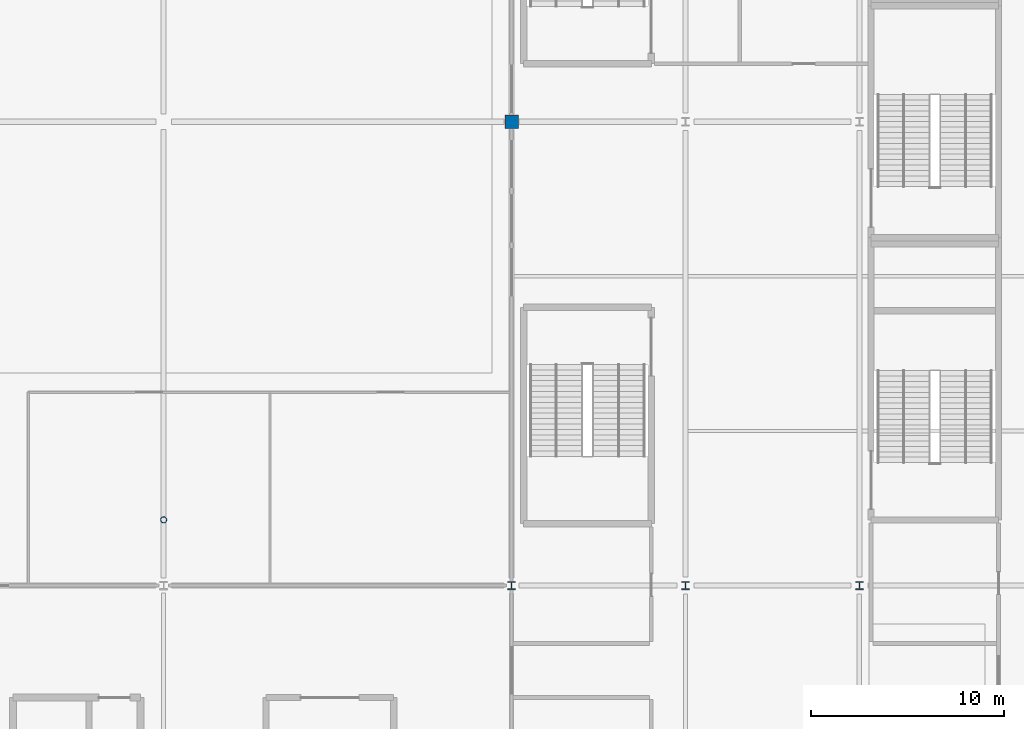
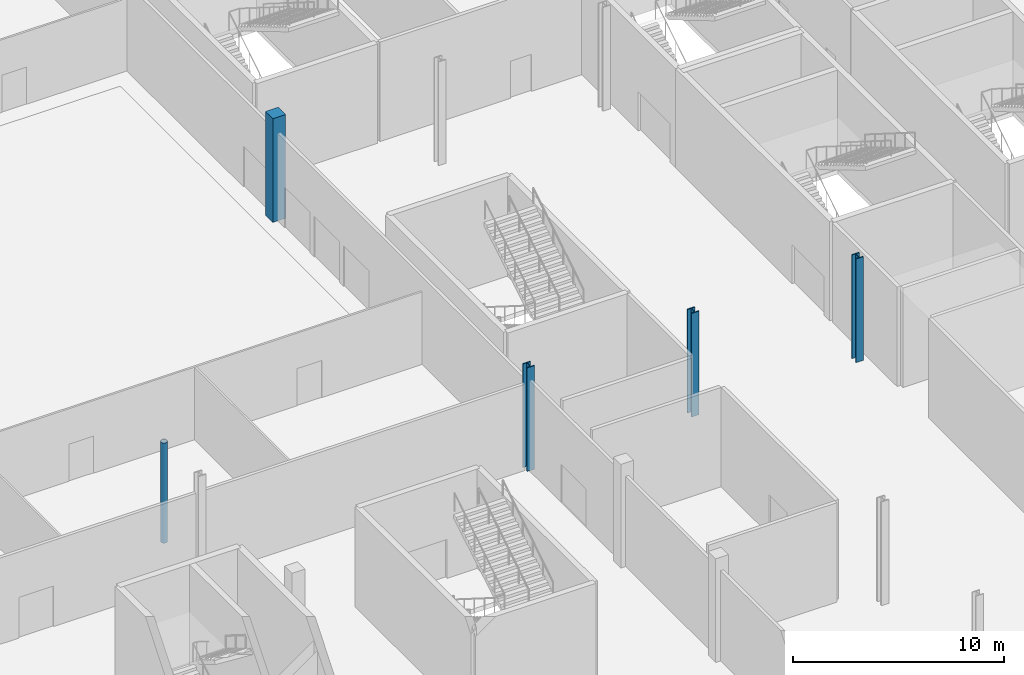
# One storey, part 11 of 84: 5 columns.
"""IFC4 building model written with IfcOpenShell, lengths in metres."""

import ifcopenshell
import ifcopenshell.guid

model = None  # the IFC model being written
_history = None  # IfcOwnerHistory: only IFC2X3 demands one
_inside = {}  # id of a spatial element -> (the spatial element, [elements in it])
_under = {}  # id of a project, library or spatial element -> (it, [spatial elements below it])
_declared = {}  # id of a project -> (the project, [libraries it declares])
_typed = {}  # id of a type object -> (the type object, [elements of that type])
_made_of = {}  # id of a material, layer set ... -> (it, [elements and type objects made of it])


def new_model(schema):
    """Start an empty IFC model of exactly this schema.

    Asked for "IFC4X3", IfcOpenShell would pick the latest addendum, in which some entities
    have other attributes; the version numbers below select the first issue.
    IFC2X3 requires an IfcOwnerHistory on every rooted entity: one is made here for all.
    """
    global model, _history
    if schema == "IFC4X3":
        model = ifcopenshell.file(schema_version=(4, 3, 0, 0))
    else:
        model = ifcopenshell.file(schema=schema)
    _inside.clear()
    _under.clear()
    _declared.clear()
    _typed.clear()
    _made_of.clear()
    _history = None
    if model.schema == "IFC2X3":
        org = make("IfcOrganization", Name="unknown")
        user = make(
            "IfcPersonAndOrganization",
            ThePerson=make("IfcPerson", FamilyName="unknown"),
            TheOrganization=org,
        )
        app = make(
            "IfcApplication",
            ApplicationDeveloper=org,
            Version="unknown",
            ApplicationFullName="unknown",
            ApplicationIdentifier="unknown",
        )
        _history = make(
            "IfcOwnerHistory",
            OwningUser=user,
            OwningApplication=app,
            ChangeAction="ADDED",
            CreationDate=0,
        )
    return model


def make(cls, **values):
    """One entity of the class cls with the attributes given. An attribute that is None is left unset."""
    return model.create_entity(
        cls, **{name: value for name, value in values.items() if value is not None}
    )


def rooted(cls, **values):
    """An entity with a GlobalId (a new one), such as an element, a storey or a relation."""
    return make(cls, GlobalId=ifcopenshell.guid.new(), OwnerHistory=_history, **values)


def si_unit(unit_type, name, prefix=None):
    """IfcSIUnit, for example si_unit("LENGTHUNIT", "METRE", prefix="MILLI")."""
    return make("IfcSIUnit", UnitType=unit_type, Prefix=prefix, Name=name)


def assignment(units):
    """IfcUnitAssignment: the units of a project."""
    return None if units is None else make("IfcUnitAssignment", Units=units)


def point(xyz):
    """IfcCartesianPoint."""
    return None if xyz is None else make("IfcCartesianPoint", Coordinates=xyz)


def direction(xyz):
    """IfcDirection."""
    return None if xyz is None else make("IfcDirection", DirectionRatios=xyz)


def frame(location, z_axis=None, x_axis=None):
    """IfcAxis2Placement3D, a coordinate frame: its origin and axes. An axis left out is left unset."""
    return make(
        "IfcAxis2Placement3D",
        Location=point(location),
        Axis=direction(z_axis),
        RefDirection=direction(x_axis),
    )


def frame_2d(location, x_axis=None):
    """IfcAxis2Placement2D, a coordinate frame in the plane: its origin and x axis."""
    return make(
        "IfcAxis2Placement2D", Location=point(location), RefDirection=direction(x_axis)
    )


def origin():
    """The frame at (0, 0, 0) with its axes left unset."""
    return frame((0.0, 0.0, 0.0))


def origin_2d():
    """The frame at (0, 0) in the plane with its x axis left unset."""
    return frame_2d((0.0, 0.0))


def place(relative_to, where):
    """IfcLocalPlacement: puts the frame where relative to a parent placement (None: the world)."""
    return make(
        "IfcLocalPlacement", PlacementRelTo=relative_to, RelativePlacement=where
    )


def context(
    kind, dimensions, precision=None, world=None, true_north=None, identifier=None
):
    """IfcGeometricRepresentationContext, for example the 3D "Model" context."""
    return make(
        "IfcGeometricRepresentationContext",
        ContextIdentifier=identifier,
        ContextType=kind,
        CoordinateSpaceDimension=dimensions,
        Precision=precision,
        WorldCoordinateSystem=world,
        TrueNorth=true_north,
    )


def subcontext(parent, identifier, kind, view, scale=None):
    """IfcGeometricRepresentationSubContext, for example "Body" below "Model"."""
    return make(
        "IfcGeometricRepresentationSubContext",
        ContextIdentifier=identifier,
        ContextType=kind,
        ParentContext=parent,
        TargetScale=scale,
        TargetView=view,
    )


def project(units=None, contexts=None):
    """IfcProject with its units and contexts."""
    return rooted(
        "IfcProject",
        Name="project",
        RepresentationContexts=contexts,
        UnitsInContext=assignment(units),
    )


def spatial(cls, under=None, at=None, **own):
    """A site, building, storey or space (cls), placed at a placement, below another one or the project."""
    s = rooted(cls, ObjectPlacement=at, **own)
    if under is not None:
        _under.setdefault(under.id(), (under, []))[1].append(s)
    return s


def profile(cls, at=None, kind="AREA", **sizes):
    """A parametric profile (cls). Its sizes go by their IFC names, for example OverallWidth=200.0."""
    return make(cls, ProfileType=kind, Position=at, **sizes)


def rectangle(**sizes):
    """IfcRectangleProfileDef."""
    return profile("IfcRectangleProfileDef", **sizes)


def hollow_circle(**sizes):
    """IfcCircleHollowProfileDef."""
    return profile("IfcCircleHollowProfileDef", **sizes)


def i_section(**sizes):
    """IfcIShapeProfileDef."""
    return profile("IfcIShapeProfileDef", **sizes)


def extrude(swept, where, along, depth):
    """IfcExtrudedAreaSolid: the profile swept, set in the frame where, extruded along a direction by depth."""
    return make(
        "IfcExtrudedAreaSolid",
        SweptArea=swept,
        Position=where,
        ExtrudedDirection=direction(along),
        Depth=depth,
    )


def shape(context_of_items, identifier, shape_type, items):
    """IfcShapeRepresentation: the items that make up one representation, for example the "Body"."""
    return make(
        "IfcShapeRepresentation",
        ContextOfItems=context_of_items,
        RepresentationIdentifier=identifier,
        RepresentationType=shape_type,
        Items=items,
    )


def material(Name=None, Category=None):
    """IfcMaterial."""
    return make("IfcMaterial", Name=Name, Category=Category)


def material_profile(
    of_material, cross_section, Name=None, Category=None, Priority=None
):
    """IfcMaterialProfile: a cross section and its material."""
    return make(
        "IfcMaterialProfile",
        Name=Name,
        Material=of_material,
        Profile=cross_section,
        Priority=Priority,
        Category=Category,
    )


def profile_set(profiles, Name=None, composite=None):
    """IfcMaterialProfileSet."""
    return make(
        "IfcMaterialProfileSet",
        Name=Name,
        MaterialProfiles=profiles,
        CompositeProfile=composite,
    )


def made_of(thing, what):
    """Note that an element or type object is made of a material, layer set ...; save() writes the relation."""
    if what is not None:
        _made_of.setdefault(what.id(), (what, []))[1].append(thing)
    return thing


def type_object(cls, material=None, **own):
    """A type object (cls), such as IfcWallType, which elements share."""
    return made_of(rooted(cls, **own), material)


def element(
    cls,
    number,
    at=None,
    inside=None,
    cuts=None,
    type_object=None,
    material=None,
    context=None,
    identifier="Body",
    shape_type=None,
    held_by="IfcProductDefinitionShape",
    body=None,
    shapes=None,
    **own,
):
    """One element of the class cls, such as IfcWall. Its Tag is "e" and its number.

    at: its placement. inside: the storey or other place that contains it. cuts: it is an
    opening in that element (IfcRelVoidsElement). A single representation is given by context,
    identifier, shape_type and body (its items); several are given by shapes. held_by: the class
    of the entity that holds the representations. save() writes the other relations.
    """
    e = rooted(cls, Tag="e%d" % number, ObjectPlacement=at, **own)
    if body is not None:
        shapes = [shape(context, identifier, shape_type, body)]
    if shapes is not None:
        e.Representation = make(held_by, Representations=shapes)
    if inside is not None:
        _inside.setdefault(inside.id(), (inside, []))[1].append(e)
    if cuts is not None:
        rooted(
            "IfcRelVoidsElement", RelatingBuildingElement=cuts, RelatedOpeningElement=e
        )
    if type_object is not None:
        _typed.setdefault(type_object.id(), (type_object, []))[1].append(e)
    return made_of(e, material)


def aggregate(whole, parts):
    """IfcRelAggregates: a whole, such as a stair, and the parts it consists of."""
    return rooted("IfcRelAggregates", RelatingObject=whole, RelatedObjects=parts)


def save(model, path):
    """Write the relations noted so far, then the file.

    IfcRelAggregates (storeys below a building ...), IfcRelContainedInSpatialStructure (elements
    in a storey), IfcRelDefinesByType, IfcRelAssociatesMaterial and IfcRelDeclares: one each for
    every whole, place, type object, material and project.
    """
    for whole, parts in _under.values():
        aggregate(whole, parts)
    for where, things in _inside.values():
        rooted(
            "IfcRelContainedInSpatialStructure",
            RelatedElements=things,
            RelatingStructure=where,
        )
    for kind, things in _typed.values():
        rooted("IfcRelDefinesByType", RelatedObjects=things, RelatingType=kind)
    for what, things in _made_of.values():
        rooted("IfcRelAssociatesMaterial", RelatedObjects=things, RelatingMaterial=what)
    for by, libraries in _declared.values():
        rooted("IfcRelDeclares", RelatingContext=by, RelatedDefinitions=libraries)
    model.write(path)


model = new_model("IFC4")

# Units and contexts
model_context = context("Model", 3, precision=1e-05, world=origin(), true_north=direction((0.0, 1.0)))
body_context = subcontext(model_context, "Body", "Model", "MODEL_VIEW")
ifc_project = project(units=[si_unit("LENGTHUNIT", "METRE"), si_unit("AREAUNIT", "SQUARE_METRE"), si_unit("VOLUMEUNIT", "CUBIC_METRE"), si_unit("PLANEANGLEUNIT", "RADIAN"), si_unit("MASSUNIT", "GRAM", prefix="KILO")], contexts=[model_context])

# Site, building, storey
site_placement = place(None, origin())
site = spatial("IfcSite", under=ifc_project, at=site_placement, CompositionType="ELEMENT")
building_placement = place(site_placement, origin())
building = spatial("IfcBuilding", under=site, at=building_placement, Name="Kisiwana Market Hall", CompositionType="ELEMENT")
storey_placement = place(building_placement, origin())
storey = spatial("IfcBuildingStorey", under=building, at=storey_placement, Name="L00", CompositionType="ELEMENT", Elevation=0.0)

# Columns
ifc_material_1 = material(Name="Concrete C40/50", Category="concrete")
ifc_material_profile_1 = material_profile(ifc_material_1, rectangle(XDim=0.699951171875, YDim=0.699951171875, at=origin_2d()), Name="RC 700x700")
ifc_profile_set_1 = profile_set([ifc_material_profile_1], Name="Concrete C40/50")
column_type_1 = type_object("IfcColumnType", Name="COL-RC-POD-700", PredefinedType="COLUMN", material=ifc_profile_set_1)
column_1_placement = place(storey_placement, frame((153.0, 60.0, 0.0), z_axis=(0.0, 0.0, 1.0), x_axis=(1.0, 0.0, 0.0)))
element("IfcColumn", 1, at=column_1_placement, inside=storey, type_object=column_type_1, Name="Column H/18 (L00) C-0289", PredefinedType="COLUMN", context=body_context, shape_type="SweptSolid", body=[
    extrude(rectangle(XDim=0.699951171875, YDim=0.699951171875, at=origin_2d()), origin(), (0.0, 0.0, 1.0), 6.0),
])
ifc_material_2 = material(Name="Steel S355", Category="steel")
ifc_material_profile_2 = material_profile(ifc_material_2, hollow_circle(Radius=0.161865234375, WallThickness=0.01611328125, at=origin_2d()), Name="CHS 323.9x16.0")
ifc_profile_set_2 = profile_set([ifc_material_profile_2], Name="Steel S355")
column_type_2 = type_object("IfcColumnType", Name="COL-STL-CHS324", PredefinedType="COLUMN", material=ifc_profile_set_2)
column_2_placement = place(storey_placement, frame((135.0, 39.39990234375, 0.0), z_axis=(0.0, 0.0, 1.0), x_axis=(1.0, 0.0, 0.0)))
element("IfcColumn", 2, at=column_2_placement, inside=storey, type_object=column_type_2, Name="Gallery post E/16 (L00) C-0342", PredefinedType="COLUMN", context=body_context, shape_type="SweptSolid", body=[
    extrude(hollow_circle(Radius=0.161865234375, WallThickness=0.01611328125, at=origin_2d()), origin(), (0.0, 0.0, 1.0), 5.800048828125),
])
ifc_material_3 = material(Name="Steel S355", Category="steel")
ifc_material_profile_3 = material_profile(ifc_material_3, i_section(OverallWidth=0.412109375, OverallDepth=0.43505859375, WebThickness=0.035888671875, FlangeThickness=0.05810546875, at=origin_2d()), Name="HD 400x463")
ifc_profile_set_3 = profile_set([ifc_material_profile_3], Name="Steel S355")
column_type_3 = type_object("IfcColumnType", Name="COL-STL-HD463", PredefinedType="COLUMN", material=ifc_profile_set_3)
for number, where, z_axis, x_axis, name in (
    (3, (153.0, 36.0, 0.0), (0.0, 0.0, 1.0), (1.0, 0.0, 0.0), "Column E/18 (L00) C-0288"),
    (4, (162.0, 36.0, 0.0), (0.0, 0.0, 1.0), (1.0, 0.0, 0.0), "Column E/19 (L00) C-0299"),
    (5, (171.0, 36.0, 0.0), (0.0, 0.0, 1.0), (1.0, 0.0, 0.0), "Column E/20 (L00) C-0308"),
):
    element("IfcColumn", number, at=place(storey_placement, frame(where, z_axis=z_axis, x_axis=x_axis)), inside=storey, type_object=column_type_3, Name=name, PredefinedType="COLUMN", context=body_context, shape_type="SweptSolid", body=[
        extrude(i_section(OverallWidth=0.412109375, OverallDepth=0.43505859375, WebThickness=0.035888671875, FlangeThickness=0.05810546875, at=origin_2d()), origin(), (0.0, 0.0, 1.0), 6.0),
    ])

save(model, "model.ifc")
